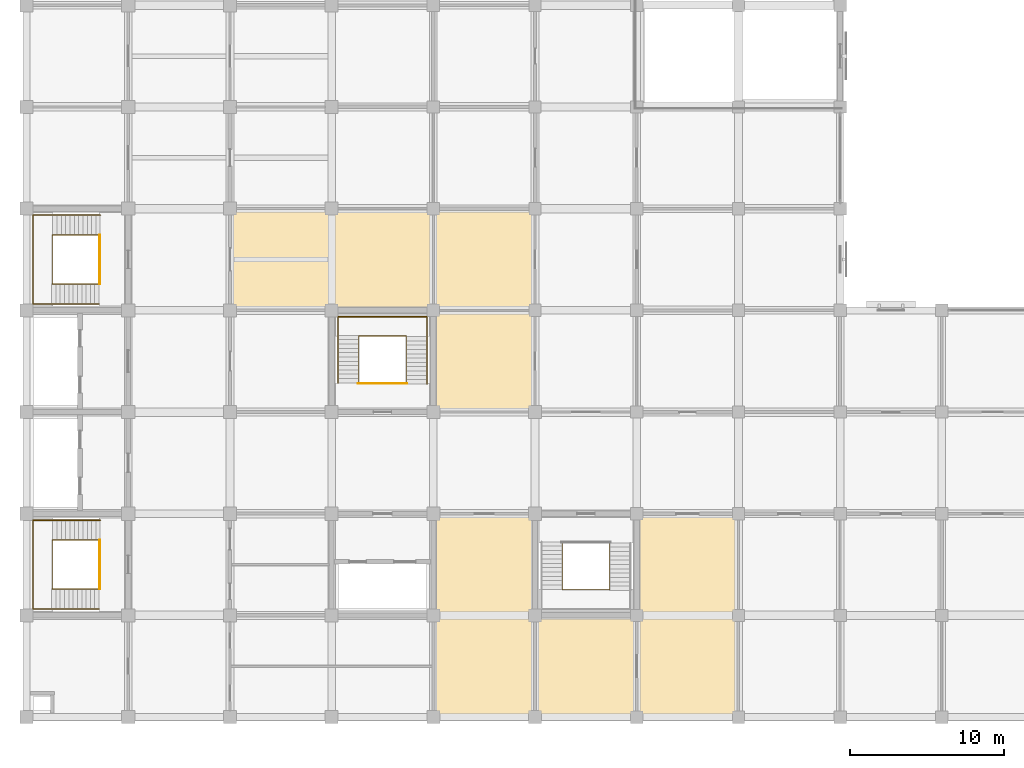
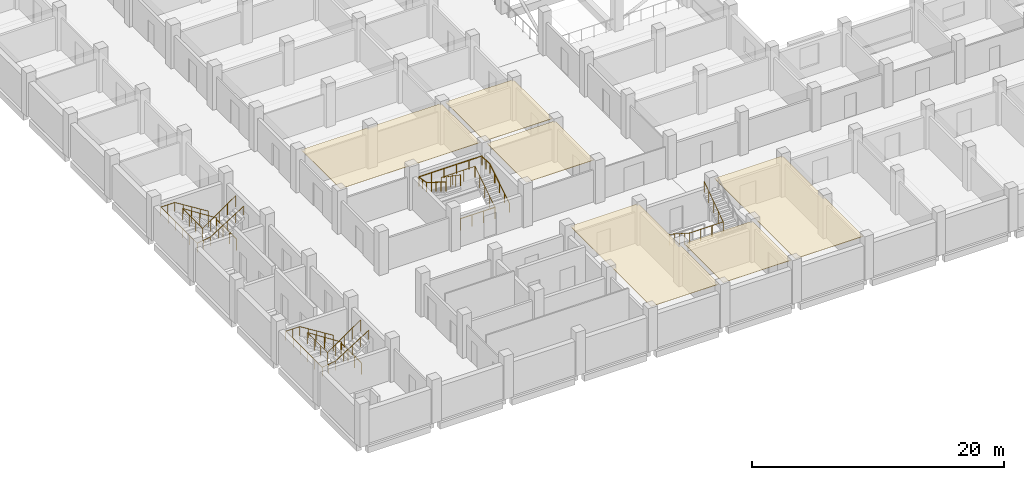
# One storey, part 28 of 30: 10 railings, 6 coverings.
"""IFC4 building model written with IfcOpenShell, lengths in metres."""

from ifc_helpers import new_model, si_unit, direction, frame, origin, origin_2d, place, context, subcontext, project, spatial, polyline, circle, outline, extrude, material, layer, layer_set, type_object, element, save


model = new_model("IFC4")

# Units and contexts
model_context = context("Model", 3, precision=1e-05, world=origin(), true_north=direction((0.0, 1.0)))
body_context = subcontext(model_context, "Body", "Model", "MODEL_VIEW")
ifc_project = project(units=[si_unit("LENGTHUNIT", "METRE"), si_unit("AREAUNIT", "SQUARE_METRE"), si_unit("VOLUMEUNIT", "CUBIC_METRE"), si_unit("PLANEANGLEUNIT", "RADIAN"), si_unit("MASSUNIT", "GRAM", prefix="KILO")], contexts=[model_context])

# Site, building, storey
site_placement = place(None, origin())
site = spatial("IfcSite", under=ifc_project, at=site_placement, CompositionType="ELEMENT")
building_placement = place(site_placement, origin())
building = spatial("IfcBuilding", under=site, at=building_placement, Name="Rusizi Kubbe Research Institute", CompositionType="ELEMENT")
storey_placement = place(building_placement, frame((0.0, 0.0, 10.199951171875)))
storey = spatial("IfcBuildingStorey", under=building, at=storey_placement, Name="L02", CompositionType="ELEMENT", Elevation=10.199951171875)

# Coverings
ifc_material_1 = material(Name="Mineral-Fibre Acoustic Laboratory Ceiling", Category="masonry")
ifc_layer_1 = layer(ifc_material_1, 0.0400390625)
ifc_layer_set_1 = layer_set([ifc_layer_1], Name="Mineral-Fibre Acoustic Laboratory Ceiling")
covering_type_1 = type_object("IfcCoveringType", Name="CL-ACOUSTIC", PredefinedType="CEILING", material=ifc_layer_set_1)
covering_1_placement = place(storey_placement, frame((0.0, 0.0, 3.81005859375)))
element("IfcCovering", 1, at=covering_1_placement, inside=storey, type_object=covering_type_1, Name="Write-up Office Ceiling L02-ELBW-03", PredefinedType="CEILING", context=body_context, shape_type="SweptSolid", body=[
    extrude(outline(polyline([(26.590087890625, 19.989990234375), (32.81005859375, 19.989990234375), (32.81005859375, 26.2099609375), (26.590087890625, 26.2099609375), (26.590087890625, 19.989990234375)])), origin(), (0.0, 0.0, 1.0), 0.0400390625),
])
covering_2_placement = place(storey_placement, frame((0.0, 0.0, 3.81005859375)))
element("IfcCovering", 2, at=covering_2_placement, inside=storey, type_object=covering_type_1, Name="Write-up Office Ceiling L02-ELBW-04", PredefinedType="CEILING", context=body_context, shape_type="SweptSolid", body=[
    extrude(outline(polyline([(26.590087890625, 26.590087890625), (32.81005859375, 26.590087890625), (32.81005859375, 32.81005859375), (26.590087890625, 32.81005859375), (26.590087890625, 26.590087890625)])), origin(), (0.0, 0.0, 1.0), 0.0400390625),
])
covering_3_placement = place(storey_placement, frame((0.0, 0.0, 3.81005859375)))
element("IfcCovering", 3, at=covering_3_placement, inside=storey, type_object=covering_type_1, Name="Computational Dry Laboratory Ceiling L02-NW-02", PredefinedType="CEILING", context=body_context, shape_type="SweptSolid", body=[
    extrude(outline(polyline([(13.389892578125, 26.590087890625), (26.2099609375, 26.590087890625), (26.2099609375, 32.81005859375), (13.389892578125, 32.81005859375), (13.389892578125, 26.590087890625)])), origin(), (0.0, 0.0, 1.0), 0.0400390625),
])
covering_4_placement = place(storey_placement, frame((0.0, 0.0, 3.81005859375)))
element("IfcCovering", 4, at=covering_4_placement, inside=storey, type_object=covering_type_1, Name="Catalysis Wet Laboratory Ceiling L02-EWS-01", PredefinedType="CEILING", context=body_context, shape_type="SweptSolid", body=[
    extrude(outline(polyline([(26.590087890625, 0.18994140625), (32.81005859375, 0.18994140625), (32.81005859375, 13.010009765625), (26.590087890625, 13.010009765625), (26.590087890625, 0.18994140625)])), origin(), (0.0, 0.0, 1.0), 0.0400390625),
])
covering_5_placement = place(storey_placement, frame((0.0, 0.0, 3.81005859375)))
element("IfcCovering", 5, at=covering_5_placement, inside=storey, type_object=covering_type_1, Name="Laboratory Instrument Support Room Ceiling L02-EWU-05", PredefinedType="CEILING", context=body_context, shape_type="SweptSolid", body=[
    extrude(outline(polyline([(33.18994140625, 0.18994140625), (39.409912109375, 0.18994140625), (39.409912109375, 6.409912109375), (33.18994140625, 6.409912109375), (33.18994140625, 0.18994140625)])), origin(), (0.0, 0.0, 1.0), 0.0400390625),
])
ifc_material_2 = material(Name="Flush Cleanroom Aluminium HEPA Ceiling Grid", Category="aluminium")
ifc_layer_2 = layer(ifc_material_2, 0.044921875)
ifc_layer_set_2 = layer_set([ifc_layer_2], Name="Flush Cleanroom Aluminium HEPA Ceiling Grid")
covering_type_2 = type_object("IfcCoveringType", Name="CL-HEPA", PredefinedType="CEILING", material=ifc_layer_set_2)
covering_6_placement = place(storey_placement, frame((0.0, 0.0, 3.804931640625)))
element("IfcCovering", 6, at=covering_6_placement, inside=storey, type_object=covering_type_2, Name="Clean Room Process Suite Ceiling L02-EWS-02", PredefinedType="CEILING", context=body_context, shape_type="SweptSolid", body=[
    extrude(outline(polyline([(39.7900390625, 0.18994140625), (46.010009765625, 0.18994140625), (46.010009765625, 13.010009765625), (39.7900390625, 13.010009765625), (39.7900390625, 0.18994140625)])), origin(), (0.0, 0.0, 1.0), 0.045166015625),
])

# Railings
ifc_material_3 = material(Name="Painted Steel Stair Guard", Category="steel")
railing_type_1 = type_object("IfcRailingType", Name="GR-STAIR", PredefinedType="GUARDRAIL", material=ifc_material_3)
railing_1_placement = place(storey_placement, frame((4.780029296875, 11.489990234375, 0.087646484375)))
element("IfcRailing", 7, at=railing_1_placement, inside=storey, type_object=railing_type_1, Name="Stair Inner Well Guard ST1 L02", PredefinedType="GUARDRAIL", context=body_context, shape_type="SweptSolid", body=[
    extrude(circle(Radius=0.02392578125, at=origin_2d()), frame((0.0, 0.0, 1.09619140625), z_axis=(-0.840361383606, 0.0, 0.542026516828), x_axis=(0.0, -1.0, 0.0)), (0.0, 0.0, 1.0), 3.712890625),
    extrude(circle(Radius=0.02392578125, at=origin_2d()), frame((-3.1201171875, 0.0, 3.1083984375), z_axis=(0.0, -1.0, 0.0), x_axis=(1.0, 0.0, 0.0)), (0.0, 0.0, 1.0), 3.179931640625),
    extrude(circle(Radius=0.02392578125, at=origin_2d()), frame((-3.1201171875, -3.179931640625, 3.1083984375), z_axis=(0.822798317177, 0.0, 0.568333466595), x_axis=(0.0, 1.0, 0.0)), (0.0, 0.0, 1.0), 3.69482421875),
    extrude(circle(Radius=0.02099609375, at=origin_2d()), origin(), (0.0, 0.0, 1.0), 1.072021484375),
    extrude(circle(Radius=0.02099609375, at=origin_2d()), frame((-0.780029296875, 0.0, 0.503173828125)), (0.0, 0.0, 1.0), 1.072021484375),
    extrude(circle(Radius=0.02099609375, at=origin_2d()), frame((-1.56005859375, 0.0, 1.00634765625)), (0.0, 0.0, 1.0), 1.072021484375),
    extrude(circle(Radius=0.02099609375, at=origin_2d()), frame((-2.340087890625, 0.0, 1.50927734375)), (0.0, 0.0, 1.0), 1.072021484375),
    extrude(circle(Radius=0.02099609375, at=origin_2d()), frame((-3.1201171875, 0.0, 2.012451171875)), (0.0, 0.0, 1.0), 1.072021484375),
    extrude(circle(Radius=0.02099609375, at=origin_2d()), frame((-3.1201171875, -1.06005859375, 2.012451171875)), (0.0, 0.0, 1.0), 1.072021484375),
    extrude(circle(Radius=0.02099609375, at=origin_2d()), frame((-3.1201171875, -2.119873046875, 2.012451171875)), (0.0, 0.0, 1.0), 1.072021484375),
    extrude(circle(Radius=0.02099609375, at=origin_2d()), frame((-3.1201171875, -3.179931640625, 2.012451171875)), (0.0, 0.0, 1.0), 1.072021484375),
    extrude(circle(Radius=0.02099609375, at=origin_2d()), frame((-2.360107421875, -3.179931640625, 2.537353515625)), (0.0, 0.0, 1.0), 1.072021484375),
    extrude(circle(Radius=0.02099609375, at=origin_2d()), frame((-1.60009765625, -3.179931640625, 3.0625)), (0.0, 0.0, 1.0), 1.072021484375),
    extrude(circle(Radius=0.02099609375, at=origin_2d()), frame((-0.840087890625, -3.179931640625, 3.58740234375)), (0.0, 0.0, 1.0), 1.072021484375),
    extrude(circle(Radius=0.02099609375, at=origin_2d()), frame((-0.080078125, -3.179931640625, 4.1123046875)), (0.0, 0.0, 1.0), 1.072021484375),
])
railing_2_placement = place(storey_placement, frame((4.75, 11.489990234375, 0.0)))
element("IfcRailing", 8, at=railing_2_placement, inside=storey, type_object=railing_type_1, Name="Stair Floor Edge Guard ST1 L02", PredefinedType="GUARDRAIL", context=body_context, shape_type="SweptSolid", body=[
    extrude(circle(Radius=0.02392578125, at=origin_2d()), frame((0.0, 0.0, 1.09619140625), z_axis=(0.0, -1.0, 0.0), x_axis=(1.0, 0.0, 0.0)), (0.0, 0.0, 1.0), 3.179931640625),
    extrude(circle(Radius=0.02099609375, at=origin_2d()), origin(), (0.0, 0.0, 1.0), 1.072021484375),
    extrude(circle(Radius=0.02099609375, at=origin_2d()), frame((0.0, -1.06005859375, 0.0)), (0.0, 0.0, 1.0), 1.072021484375),
    extrude(circle(Radius=0.02099609375, at=origin_2d()), frame((0.0, -2.119873046875, 0.0)), (0.0, 0.0, 1.0), 1.072021484375),
    extrude(circle(Radius=0.02099609375, at=origin_2d()), frame((0.0, -3.179931640625, 0.0)), (0.0, 0.0, 1.0), 1.072021484375),
])
railing_3_placement = place(storey_placement, frame((4.780029296875, 31.2900390625, 0.087646484375)))
element("IfcRailing", 9, at=railing_3_placement, inside=storey, type_object=railing_type_1, Name="Stair Inner Well Guard ST2 L02", PredefinedType="GUARDRAIL", context=body_context, shape_type="SweptSolid", body=[
    extrude(circle(Radius=0.02392578125, at=origin_2d()), frame((0.0, 0.0, 1.09619140625), z_axis=(-0.840361383606, 0.0, 0.542026516828), x_axis=(0.0, -1.0, 0.0)), (0.0, 0.0, 1.0), 3.712890625),
    extrude(circle(Radius=0.02392578125, at=origin_2d()), frame((-3.1201171875, 0.0, 3.1083984375), z_axis=(0.0, -1.0, 0.0), x_axis=(1.0, 0.0, 0.0)), (0.0, 0.0, 1.0), 3.179931640625),
    extrude(circle(Radius=0.02392578125, at=origin_2d()), frame((-3.1201171875, -3.179931640625, 3.1083984375), z_axis=(0.822798317177, 0.0, 0.568333466595), x_axis=(0.0, 1.0, 0.0)), (0.0, 0.0, 1.0), 3.69482421875),
    extrude(circle(Radius=0.02099609375, at=origin_2d()), origin(), (0.0, 0.0, 1.0), 1.072021484375),
    extrude(circle(Radius=0.02099609375, at=origin_2d()), frame((-0.780029296875, 0.0, 0.503173828125)), (0.0, 0.0, 1.0), 1.072021484375),
    extrude(circle(Radius=0.02099609375, at=origin_2d()), frame((-1.56005859375, 0.0, 1.00634765625)), (0.0, 0.0, 1.0), 1.072021484375),
    extrude(circle(Radius=0.02099609375, at=origin_2d()), frame((-2.340087890625, 0.0, 1.50927734375)), (0.0, 0.0, 1.0), 1.072021484375),
    extrude(circle(Radius=0.02099609375, at=origin_2d()), frame((-3.1201171875, 0.0, 2.012451171875)), (0.0, 0.0, 1.0), 1.072021484375),
    extrude(circle(Radius=0.02099609375, at=origin_2d()), frame((-3.1201171875, -1.06005859375, 2.012451171875)), (0.0, 0.0, 1.0), 1.072021484375),
    extrude(circle(Radius=0.02099609375, at=origin_2d()), frame((-3.1201171875, -2.119873046875, 2.012451171875)), (0.0, 0.0, 1.0), 1.072021484375),
    extrude(circle(Radius=0.02099609375, at=origin_2d()), frame((-3.1201171875, -3.179931640625, 2.012451171875)), (0.0, 0.0, 1.0), 1.072021484375),
    extrude(circle(Radius=0.02099609375, at=origin_2d()), frame((-2.360107421875, -3.179931640625, 2.537353515625)), (0.0, 0.0, 1.0), 1.072021484375),
    extrude(circle(Radius=0.02099609375, at=origin_2d()), frame((-1.60009765625, -3.179931640625, 3.0625)), (0.0, 0.0, 1.0), 1.072021484375),
    extrude(circle(Radius=0.02099609375, at=origin_2d()), frame((-0.840087890625, -3.179931640625, 3.58740234375)), (0.0, 0.0, 1.0), 1.072021484375),
    extrude(circle(Radius=0.02099609375, at=origin_2d()), frame((-0.080078125, -3.179931640625, 4.1123046875)), (0.0, 0.0, 1.0), 1.072021484375),
])
railing_4_placement = place(storey_placement, frame((4.75, 31.2900390625, 0.0)))
element("IfcRailing", 10, at=railing_4_placement, inside=storey, type_object=railing_type_1, Name="Stair Floor Edge Guard ST2 L02", PredefinedType="GUARDRAIL", context=body_context, shape_type="SweptSolid", body=[
    extrude(circle(Radius=0.02392578125, at=origin_2d()), frame((0.0, 0.0, 1.09619140625), z_axis=(0.0, -1.0, 0.0), x_axis=(1.0, 0.0, 0.0)), (0.0, 0.0, 1.0), 3.179931640625),
    extrude(circle(Radius=0.02099609375, at=origin_2d()), origin(), (0.0, 0.0, 1.0), 1.072021484375),
    extrude(circle(Radius=0.02099609375, at=origin_2d()), frame((0.0, -1.06005859375, 0.0)), (0.0, 0.0, 1.0), 1.072021484375),
    extrude(circle(Radius=0.02099609375, at=origin_2d()), frame((0.0, -2.119873046875, 0.0)), (0.0, 0.0, 1.0), 1.072021484375),
    extrude(circle(Radius=0.02099609375, at=origin_2d()), frame((0.0, -3.179931640625, 0.0)), (0.0, 0.0, 1.0), 1.072021484375),
])
railing_5_placement = place(storey_placement, frame((24.639892578125, 21.6201171875, 0.087646484375)))
element("IfcRailing", 11, at=railing_5_placement, inside=storey, type_object=railing_type_1, Name="Stair Inner Well Guard ST3 L02", PredefinedType="GUARDRAIL", context=body_context, shape_type="SweptSolid", body=[
    extrude(circle(Radius=0.02392578125, at=origin_2d()), frame((0.0, 0.0, 1.09619140625), z_axis=(0.0, 0.840342063375, 0.542056469865), x_axis=(-1.0, 0.0, 0.0)), (0.0, 0.0, 1.0), 3.712646484375),
    extrude(circle(Radius=0.02392578125, at=origin_2d()), frame((0.0, 3.119873046875, 3.1083984375), z_axis=(-1.0, 0.0, 0.0), x_axis=(0.0, -1.0, 0.0)), (0.0, 0.0, 1.0), 3.079833984375),
    extrude(circle(Radius=0.02392578125, at=origin_2d()), frame((-3.079833984375, 3.119873046875, 3.1083984375), z_axis=(0.0, -0.822798317177, 0.568333466595), x_axis=(1.0, 0.0, 0.0)), (0.0, 0.0, 1.0), 3.69482421875),
    extrude(circle(Radius=0.02099609375, at=origin_2d()), origin(), (0.0, 0.0, 1.0), 1.072021484375),
    extrude(circle(Radius=0.02099609375, at=origin_2d()), frame((0.0, 0.780029296875, 0.503173828125)), (0.0, 0.0, 1.0), 1.072021484375),
    extrude(circle(Radius=0.02099609375, at=origin_2d()), frame((0.0, 1.56005859375, 1.00634765625)), (0.0, 0.0, 1.0), 1.072021484375),
    extrude(circle(Radius=0.02099609375, at=origin_2d()), frame((0.0, 2.33984375, 1.50927734375)), (0.0, 0.0, 1.0), 1.072021484375),
    extrude(circle(Radius=0.02099609375, at=origin_2d()), frame((0.0, 3.119873046875, 2.012451171875)), (0.0, 0.0, 1.0), 1.072021484375),
    extrude(circle(Radius=0.02099609375, at=origin_2d()), frame((-1.026611328125, 3.119873046875, 2.012451171875)), (0.0, 0.0, 1.0), 1.072021484375),
    extrude(circle(Radius=0.02099609375, at=origin_2d()), frame((-2.05322265625, 3.119873046875, 2.012451171875)), (0.0, 0.0, 1.0), 1.072021484375),
    extrude(circle(Radius=0.02099609375, at=origin_2d()), frame((-3.079833984375, 3.119873046875, 2.012451171875)), (0.0, 0.0, 1.0), 1.072021484375),
    extrude(circle(Radius=0.02099609375, at=origin_2d()), frame((-3.079833984375, 2.35986328125, 2.537353515625)), (0.0, 0.0, 1.0), 1.072021484375),
    extrude(circle(Radius=0.02099609375, at=origin_2d()), frame((-3.079833984375, 1.599853515625, 3.0625)), (0.0, 0.0, 1.0), 1.072021484375),
    extrude(circle(Radius=0.02099609375, at=origin_2d()), frame((-3.079833984375, 0.83984375, 3.58740234375)), (0.0, 0.0, 1.0), 1.072021484375),
    extrude(circle(Radius=0.02099609375, at=origin_2d()), frame((-3.079833984375, 0.079833984375, 4.1123046875)), (0.0, 0.0, 1.0), 1.072021484375),
])
railing_6_placement = place(storey_placement, frame((24.68994140625, 21.64990234375, 0.0)))
element("IfcRailing", 12, at=railing_6_placement, inside=storey, type_object=railing_type_1, Name="Stair Floor Edge Guard ST3 L02", PredefinedType="GUARDRAIL", context=body_context, shape_type="SweptSolid", body=[
    extrude(circle(Radius=0.02392578125, at=origin_2d()), frame((0.0, 0.0, 1.09619140625), z_axis=(-1.0, 0.0, 0.0), x_axis=(0.0, -1.0, 0.0)), (0.0, 0.0, 1.0), 3.179931640625),
    extrude(circle(Radius=0.02099609375, at=origin_2d()), origin(), (0.0, 0.0, 1.0), 1.072021484375),
    extrude(circle(Radius=0.02099609375, at=origin_2d()), frame((-1.06005859375, 0.0, 0.0)), (0.0, 0.0, 1.0), 1.072021484375),
    extrude(circle(Radius=0.02099609375, at=origin_2d()), frame((-2.119873046875, 0.0, 0.0)), (0.0, 0.0, 1.0), 1.072021484375),
    extrude(circle(Radius=0.02099609375, at=origin_2d()), frame((-3.179931640625, 0.0, 0.0)), (0.0, 0.0, 1.0), 1.072021484375),
])
railing_7_placement = place(storey_placement, frame((34.760009765625, 11.3798828125, 0.087646484375)))
element("IfcRailing", 13, at=railing_7_placement, inside=storey, type_object=railing_type_1, Name="Stair Inner Well Guard ST4 L02", PredefinedType="GUARDRAIL", context=body_context, shape_type="SweptSolid", body=[
    extrude(circle(Radius=0.02392578125, at=origin_2d()), frame((0.0, 0.0, 1.09619140625), z_axis=(0.0, -0.840342063375, 0.542056469865), x_axis=(1.0, 0.0, 0.0)), (0.0, 0.0, 1.0), 3.712646484375),
    extrude(circle(Radius=0.02392578125, at=origin_2d()), frame((0.0, -3.119873046875, 3.1083984375), z_axis=(1.0, 0.0, 0.0), x_axis=(0.0, 1.0, 0.0)), (0.0, 0.0, 1.0), 3.080078125),
    extrude(circle(Radius=0.02392578125, at=origin_2d()), frame((3.080078125, -3.119873046875, 3.1083984375), z_axis=(0.0, 0.822798317177, 0.568333466595), x_axis=(-1.0, 0.0, 0.0)), (0.0, 0.0, 1.0), 3.69482421875),
    extrude(circle(Radius=0.02099609375, at=origin_2d()), origin(), (0.0, 0.0, 1.0), 1.072021484375),
    extrude(circle(Radius=0.02099609375, at=origin_2d()), frame((0.0, -0.780029296875, 0.503173828125)), (0.0, 0.0, 1.0), 1.072021484375),
    extrude(circle(Radius=0.02099609375, at=origin_2d()), frame((0.0, -1.56005859375, 1.00634765625)), (0.0, 0.0, 1.0), 1.072021484375),
    extrude(circle(Radius=0.02099609375, at=origin_2d()), frame((0.0, -2.33984375, 1.50927734375)), (0.0, 0.0, 1.0), 1.072021484375),
    extrude(circle(Radius=0.02099609375, at=origin_2d()), frame((0.0, -3.119873046875, 2.012451171875)), (0.0, 0.0, 1.0), 1.072021484375),
    extrude(circle(Radius=0.02099609375, at=origin_2d()), frame((1.026611328125, -3.119873046875, 2.012451171875)), (0.0, 0.0, 1.0), 1.072021484375),
    extrude(circle(Radius=0.02099609375, at=origin_2d()), frame((2.053466796875, -3.119873046875, 2.012451171875)), (0.0, 0.0, 1.0), 1.072021484375),
    extrude(circle(Radius=0.02099609375, at=origin_2d()), frame((3.080078125, -3.119873046875, 2.012451171875)), (0.0, 0.0, 1.0), 1.072021484375),
    extrude(circle(Radius=0.02099609375, at=origin_2d()), frame((3.080078125, -2.35986328125, 2.537353515625)), (0.0, 0.0, 1.0), 1.072021484375),
    extrude(circle(Radius=0.02099609375, at=origin_2d()), frame((3.080078125, -1.599853515625, 3.0625)), (0.0, 0.0, 1.0), 1.072021484375),
    extrude(circle(Radius=0.02099609375, at=origin_2d()), frame((3.080078125, -0.83984375, 3.58740234375)), (0.0, 0.0, 1.0), 1.072021484375),
    extrude(circle(Radius=0.02099609375, at=origin_2d()), frame((3.080078125, -0.079833984375, 4.1123046875)), (0.0, 0.0, 1.0), 1.072021484375),
])
ifc_material_4 = material(Name="Brushed Stainless Steel Handrail", Category="steel")
railing_type_2 = type_object("IfcRailingType", Name="HR-STAIR", PredefinedType="HANDRAIL", material=ifc_material_4)
railing_8_placement = place(storey_placement, frame((4.780029296875, 12.780029296875, 0.175048828125)))
element("IfcRailing", 14, at=railing_8_placement, inside=storey, type_object=railing_type_2, Name="Stair Wall Handrail ST1 L02", PredefinedType="HANDRAIL", context=body_context, shape_type="SweptSolid", body=[
    extrude(circle(Radius=0.02392578125, at=origin_2d()), frame((0.0, 0.0, 0.8759765625), z_axis=(-0.847998304005, 0.0, 0.529998940003), x_axis=(0.0, -1.0, 0.0)), (0.0, 0.0, 1.0), 3.632080078125),
    extrude(circle(Radius=0.02392578125, at=origin_2d()), frame((-3.080078125, 0.0, 2.80078125), z_axis=(-1.0, 0.0, 0.0), x_axis=(0.0, -1.0, 0.0)), (0.0, 0.0, 1.0), 1.280029296875),
    extrude(circle(Radius=0.02392578125, at=origin_2d()), frame((-4.360107421875, 0.0, 2.80078125), z_axis=(0.0, -1.0, 0.0), x_axis=(1.0, 0.0, 0.0)), (0.0, 0.0, 1.0), 5.760009765625),
    extrude(circle(Radius=0.02392578125, at=origin_2d()), frame((-4.360107421875, -5.760009765625, 2.80078125), z_axis=(0.989630492691, 0.0, 0.143636652482), x_axis=(0.0, 1.0, 0.0)), (0.0, 0.0, 1.0), 1.21875),
    extrude(circle(Radius=0.02392578125, at=origin_2d()), frame((-3.154052734375, -5.760009765625, 2.97607421875), z_axis=(0.847555548714, 0.0, 0.530706690974), x_axis=(0.0, 1.0, 0.0)), (0.0, 0.0, 1.0), 3.626953125),
    extrude(circle(Radius=0.02099609375, at=origin_2d()), origin(), (0.0, 0.0, 1.0), 0.851806640625),
    extrude(circle(Radius=0.02099609375, at=origin_2d()), frame((-0.77001953125, 0.0, 0.481201171875)), (0.0, 0.0, 1.0), 0.851806640625),
    extrude(circle(Radius=0.02099609375, at=origin_2d()), frame((-1.5400390625, 0.0, 0.96240234375)), (0.0, 0.0, 1.0), 0.851806640625),
    extrude(circle(Radius=0.02099609375, at=origin_2d()), frame((-2.31005859375, 0.0, 1.44384765625)), (0.0, 0.0, 1.0), 0.851806640625),
    extrude(circle(Radius=0.02099609375, at=origin_2d()), frame((-3.080078125, 0.0, 1.925048828125)), (0.0, 0.0, 1.0), 0.851806640625),
    extrude(circle(Radius=0.02099609375, at=origin_2d()), frame((-3.72021484375, 0.0, 1.925048828125)), (0.0, 0.0, 1.0), 0.851806640625),
    extrude(circle(Radius=0.02099609375, at=origin_2d()), frame((-4.360107421875, 0.0, 1.925048828125)), (0.0, 0.0, 1.0), 0.851806640625),
    extrude(circle(Radius=0.02099609375, at=origin_2d()), frame((-4.360107421875, -1.152099609375, 1.925048828125)), (0.0, 0.0, 1.0), 0.851806640625),
    extrude(circle(Radius=0.02099609375, at=origin_2d()), frame((-4.360107421875, -2.303955078125, 1.925048828125)), (0.0, 0.0, 1.0), 0.851806640625),
    extrude(circle(Radius=0.02099609375, at=origin_2d()), frame((-4.360107421875, -3.4560546875, 1.925048828125)), (0.0, 0.0, 1.0), 0.851806640625),
    extrude(circle(Radius=0.02099609375, at=origin_2d()), frame((-4.360107421875, -4.60791015625, 1.925048828125)), (0.0, 0.0, 1.0), 0.851806640625),
    extrude(circle(Radius=0.02099609375, at=origin_2d()), frame((-4.360107421875, -5.760009765625, 1.925048828125)), (0.0, 0.0, 1.0), 0.851806640625),
    extrude(circle(Radius=0.02099609375, at=origin_2d()), frame((-3.757080078125, -5.760009765625, 2.0126953125)), (0.0, 0.0, 1.0), 0.851806640625),
    extrude(circle(Radius=0.02099609375, at=origin_2d()), frame((-3.154052734375, -5.760009765625, 2.10009765625)), (0.0, 0.0, 1.0), 0.851806640625),
    extrude(circle(Radius=0.02099609375, at=origin_2d()), frame((-2.385498046875, -5.760009765625, 2.581298828125)), (0.0, 0.0, 1.0), 0.851806640625),
    extrude(circle(Radius=0.02099609375, at=origin_2d()), frame((-1.6171875, -5.760009765625, 3.0625)), (0.0, 0.0, 1.0), 0.851806640625),
    extrude(circle(Radius=0.02099609375, at=origin_2d()), frame((-0.8486328125, -5.760009765625, 3.543701171875)), (0.0, 0.0, 1.0), 0.851806640625),
    extrude(circle(Radius=0.02099609375, at=origin_2d()), frame((-0.080078125, -5.760009765625, 4.02490234375)), (0.0, 0.0, 1.0), 0.851806640625),
])
railing_9_placement = place(storey_placement, frame((4.780029296875, 32.580078125, 0.175048828125)))
element("IfcRailing", 15, at=railing_9_placement, inside=storey, type_object=railing_type_2, Name="Stair Wall Handrail ST2 L02", PredefinedType="HANDRAIL", context=body_context, shape_type="SweptSolid", body=[
    extrude(circle(Radius=0.02392578125, at=origin_2d()), frame((0.0, 0.0, 0.8759765625), z_axis=(-0.847998304005, 0.0, 0.529998940003), x_axis=(0.0, -1.0, 0.0)), (0.0, 0.0, 1.0), 3.632080078125),
    extrude(circle(Radius=0.02392578125, at=origin_2d()), frame((-3.080078125, 0.0, 2.80078125), z_axis=(-1.0, 0.0, 0.0), x_axis=(0.0, -1.0, 0.0)), (0.0, 0.0, 1.0), 1.280029296875),
    extrude(circle(Radius=0.02392578125, at=origin_2d()), frame((-4.360107421875, 0.0, 2.80078125), z_axis=(0.0, -1.0, 0.0), x_axis=(1.0, 0.0, 0.0)), (0.0, 0.0, 1.0), 5.760009765625),
    extrude(circle(Radius=0.02392578125, at=origin_2d()), frame((-4.360107421875, -5.760009765625, 2.80078125), z_axis=(0.989630492691, 0.0, 0.143636652482), x_axis=(0.0, 1.0, 0.0)), (0.0, 0.0, 1.0), 1.21875),
    extrude(circle(Radius=0.02392578125, at=origin_2d()), frame((-3.154052734375, -5.760009765625, 2.97607421875), z_axis=(0.847555548714, 0.0, 0.530706690974), x_axis=(0.0, 1.0, 0.0)), (0.0, 0.0, 1.0), 3.626953125),
    extrude(circle(Radius=0.02099609375, at=origin_2d()), origin(), (0.0, 0.0, 1.0), 0.851806640625),
    extrude(circle(Radius=0.02099609375, at=origin_2d()), frame((-0.77001953125, 0.0, 0.481201171875)), (0.0, 0.0, 1.0), 0.851806640625),
    extrude(circle(Radius=0.02099609375, at=origin_2d()), frame((-1.5400390625, 0.0, 0.96240234375)), (0.0, 0.0, 1.0), 0.851806640625),
    extrude(circle(Radius=0.02099609375, at=origin_2d()), frame((-2.31005859375, 0.0, 1.44384765625)), (0.0, 0.0, 1.0), 0.851806640625),
    extrude(circle(Radius=0.02099609375, at=origin_2d()), frame((-3.080078125, 0.0, 1.925048828125)), (0.0, 0.0, 1.0), 0.851806640625),
    extrude(circle(Radius=0.02099609375, at=origin_2d()), frame((-3.72021484375, 0.0, 1.925048828125)), (0.0, 0.0, 1.0), 0.851806640625),
    extrude(circle(Radius=0.02099609375, at=origin_2d()), frame((-4.360107421875, 0.0, 1.925048828125)), (0.0, 0.0, 1.0), 0.851806640625),
    extrude(circle(Radius=0.02099609375, at=origin_2d()), frame((-4.360107421875, -1.152099609375, 1.925048828125)), (0.0, 0.0, 1.0), 0.851806640625),
    extrude(circle(Radius=0.02099609375, at=origin_2d()), frame((-4.360107421875, -2.303955078125, 1.925048828125)), (0.0, 0.0, 1.0), 0.851806640625),
    extrude(circle(Radius=0.02099609375, at=origin_2d()), frame((-4.360107421875, -3.4560546875, 1.925048828125)), (0.0, 0.0, 1.0), 0.851806640625),
    extrude(circle(Radius=0.02099609375, at=origin_2d()), frame((-4.360107421875, -4.60791015625, 1.925048828125)), (0.0, 0.0, 1.0), 0.851806640625),
    extrude(circle(Radius=0.02099609375, at=origin_2d()), frame((-4.360107421875, -5.760009765625, 1.925048828125)), (0.0, 0.0, 1.0), 0.851806640625),
    extrude(circle(Radius=0.02099609375, at=origin_2d()), frame((-3.757080078125, -5.760009765625, 2.0126953125)), (0.0, 0.0, 1.0), 0.851806640625),
    extrude(circle(Radius=0.02099609375, at=origin_2d()), frame((-3.154052734375, -5.760009765625, 2.10009765625)), (0.0, 0.0, 1.0), 0.851806640625),
    extrude(circle(Radius=0.02099609375, at=origin_2d()), frame((-2.385498046875, -5.760009765625, 2.581298828125)), (0.0, 0.0, 1.0), 0.851806640625),
    extrude(circle(Radius=0.02099609375, at=origin_2d()), frame((-1.6171875, -5.760009765625, 3.0625)), (0.0, 0.0, 1.0), 0.851806640625),
    extrude(circle(Radius=0.02099609375, at=origin_2d()), frame((-0.8486328125, -5.760009765625, 3.543701171875)), (0.0, 0.0, 1.0), 0.851806640625),
    extrude(circle(Radius=0.02099609375, at=origin_2d()), frame((-0.080078125, -5.760009765625, 4.02490234375)), (0.0, 0.0, 1.0), 0.851806640625),
])
railing_10_placement = place(storey_placement, frame((25.97998046875, 21.6201171875, 0.175048828125)))
element("IfcRailing", 16, at=railing_10_placement, inside=storey, type_object=railing_type_2, Name="Stair Wall Handrail ST3 L02", PredefinedType="HANDRAIL", context=body_context, shape_type="SweptSolid", body=[
    extrude(circle(Radius=0.02392578125, at=origin_2d()), frame((0.0, 0.0, 0.8759765625), z_axis=(0.0, 0.847979421464, 0.530029150871), x_axis=(-1.0, 0.0, 0.0)), (0.0, 0.0, 1.0), 3.632080078125),
    extrude(circle(Radius=0.02392578125, at=origin_2d()), frame((0.0, 3.079833984375, 2.80078125), z_axis=(0.0, 1.0, 0.0), x_axis=(-1.0, 0.0, 0.0)), (0.0, 0.0, 1.0), 1.280029296875),
    extrude(circle(Radius=0.02392578125, at=origin_2d()), frame((0.0, 4.35986328125, 2.80078125), z_axis=(-1.0, 0.0, 0.0), x_axis=(0.0, -1.0, 0.0)), (0.0, 0.0, 1.0), 5.760009765625),
    extrude(circle(Radius=0.02392578125, at=origin_2d()), frame((-5.760009765625, 4.35986328125, 2.80078125), z_axis=(0.0, -0.989630492691, 0.143636652482), x_axis=(1.0, 0.0, 0.0)), (0.0, 0.0, 1.0), 1.21875),
    extrude(circle(Radius=0.02392578125, at=origin_2d()), frame((-5.760009765625, 3.15380859375, 2.97607421875), z_axis=(0.0, -0.847555548714, 0.530706690974), x_axis=(1.0, 0.0, 0.0)), (0.0, 0.0, 1.0), 3.626953125),
    extrude(circle(Radius=0.02099609375, at=origin_2d()), origin(), (0.0, 0.0, 1.0), 0.851806640625),
    extrude(circle(Radius=0.02099609375, at=origin_2d()), frame((0.0, 0.77001953125, 0.481201171875)), (0.0, 0.0, 1.0), 0.851806640625),
    extrude(circle(Radius=0.02099609375, at=origin_2d()), frame((0.0, 1.5400390625, 0.96240234375)), (0.0, 0.0, 1.0), 0.851806640625),
    extrude(circle(Radius=0.02099609375, at=origin_2d()), frame((0.0, 2.309814453125, 1.44384765625)), (0.0, 0.0, 1.0), 0.851806640625),
    extrude(circle(Radius=0.02099609375, at=origin_2d()), frame((0.0, 3.079833984375, 1.925048828125)), (0.0, 0.0, 1.0), 0.851806640625),
    extrude(circle(Radius=0.02099609375, at=origin_2d()), frame((0.0, 3.7197265625, 1.925048828125)), (0.0, 0.0, 1.0), 0.851806640625),
    extrude(circle(Radius=0.02099609375, at=origin_2d()), frame((0.0, 4.35986328125, 1.925048828125)), (0.0, 0.0, 1.0), 0.851806640625),
    extrude(circle(Radius=0.02099609375, at=origin_2d()), frame((-1.152099609375, 4.35986328125, 1.925048828125)), (0.0, 0.0, 1.0), 0.851806640625),
    extrude(circle(Radius=0.02099609375, at=origin_2d()), frame((-2.303955078125, 4.35986328125, 1.925048828125)), (0.0, 0.0, 1.0), 0.851806640625),
    extrude(circle(Radius=0.02099609375, at=origin_2d()), frame((-3.4560546875, 4.35986328125, 1.925048828125)), (0.0, 0.0, 1.0), 0.851806640625),
    extrude(circle(Radius=0.02099609375, at=origin_2d()), frame((-4.60791015625, 4.35986328125, 1.925048828125)), (0.0, 0.0, 1.0), 0.851806640625),
    extrude(circle(Radius=0.02099609375, at=origin_2d()), frame((-5.760009765625, 4.35986328125, 1.925048828125)), (0.0, 0.0, 1.0), 0.851806640625),
    extrude(circle(Radius=0.02099609375, at=origin_2d()), frame((-5.760009765625, 3.7568359375, 2.0126953125)), (0.0, 0.0, 1.0), 0.851806640625),
    extrude(circle(Radius=0.02099609375, at=origin_2d()), frame((-5.760009765625, 3.15380859375, 2.10009765625)), (0.0, 0.0, 1.0), 0.851806640625),
    extrude(circle(Radius=0.02099609375, at=origin_2d()), frame((-5.760009765625, 2.38525390625, 2.581298828125)), (0.0, 0.0, 1.0), 0.851806640625),
    extrude(circle(Radius=0.02099609375, at=origin_2d()), frame((-5.760009765625, 1.61669921875, 3.0625)), (0.0, 0.0, 1.0), 0.851806640625),
    extrude(circle(Radius=0.02099609375, at=origin_2d()), frame((-5.760009765625, 0.848388671875, 3.543701171875)), (0.0, 0.0, 1.0), 0.851806640625),
    extrude(circle(Radius=0.02099609375, at=origin_2d()), frame((-5.760009765625, 0.079833984375, 4.02490234375)), (0.0, 0.0, 1.0), 0.851806640625),
])

save(model, "model.ifc")
